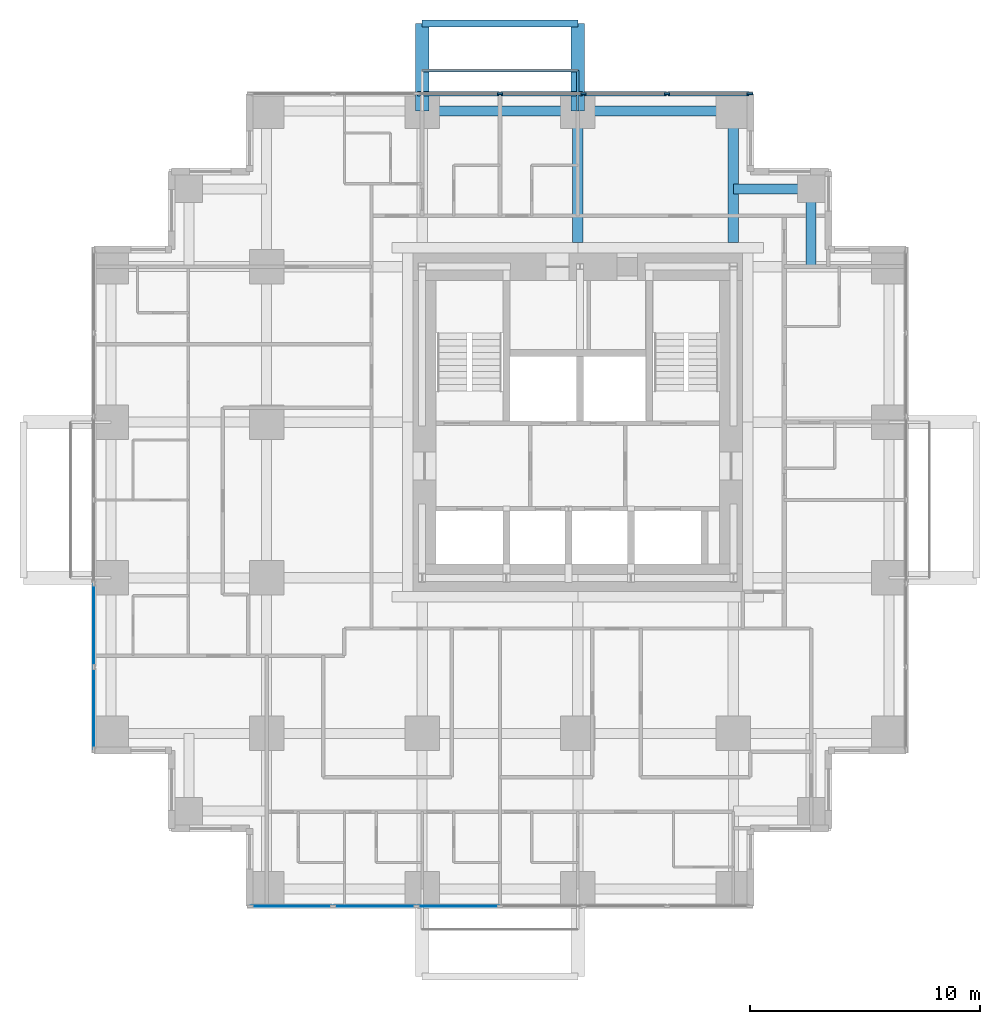
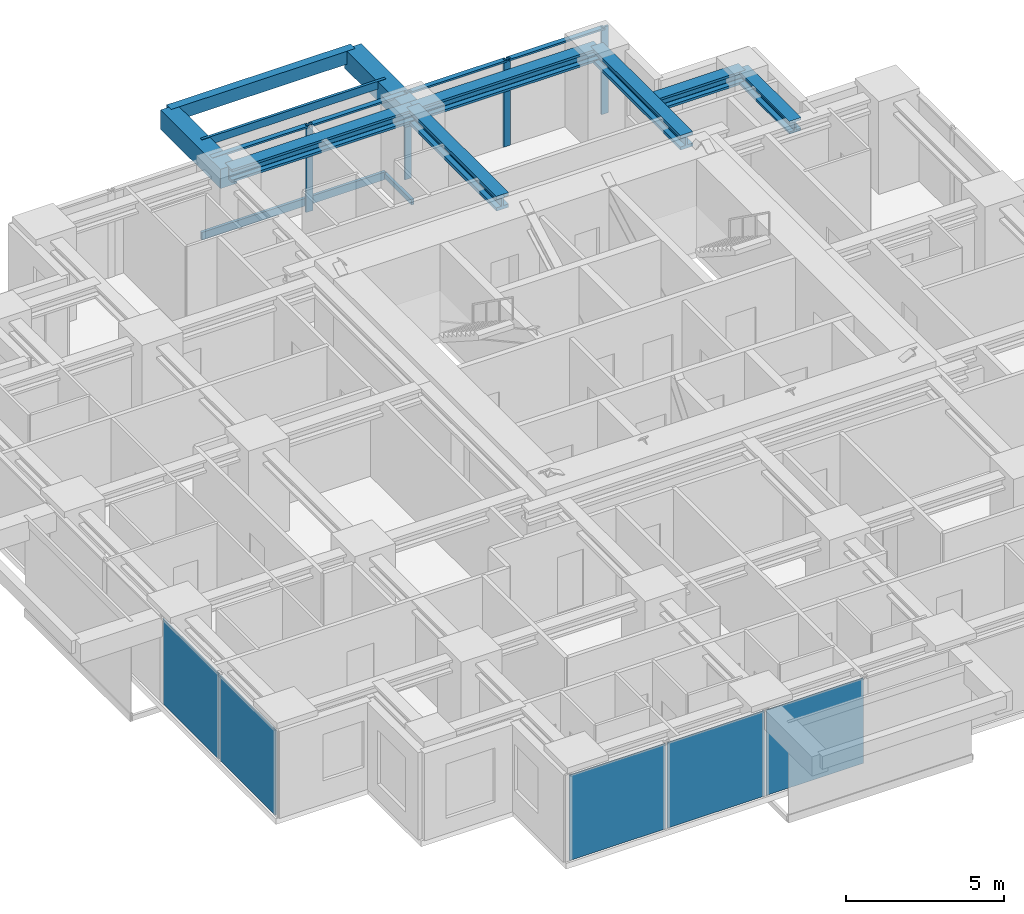
# One storey, part 4 of 10: 11 members, 9 beams, 5 plates, 3 elements without a shape of their own.
"""IFC4 building model written with IfcOpenShell, lengths in metres."""

from ifc_helpers import new_model, si_unit, direction, frame, origin, origin_2d, place, context, subcontext, project, spatial, rectangle, hollow_rectangle, i_section, extrude, material, layer, layer_set, material_profile, profile_set, type_object, element, aggregate, save


model = new_model("IFC4")

# Units and contexts
model_context = context("Model", 3, precision=1e-05, world=origin(), true_north=direction((0.0, 1.0)))
body_context = subcontext(model_context, "Body", "Model", "MODEL_VIEW")
ifc_project = project(units=[si_unit("LENGTHUNIT", "METRE"), si_unit("AREAUNIT", "SQUARE_METRE"), si_unit("VOLUMEUNIT", "CUBIC_METRE"), si_unit("PLANEANGLEUNIT", "RADIAN"), si_unit("MASSUNIT", "GRAM", prefix="KILO")], contexts=[model_context])

# Site, building, storey
site_placement = place(None, origin())
site = spatial("IfcSite", under=ifc_project, at=site_placement, CompositionType="ELEMENT")
building_placement = place(site_placement, origin())
building = spatial("IfcBuilding", under=site, at=building_placement, Name="Nyansa Garden Tower", CompositionType="ELEMENT")
storey_placement = place(building_placement, frame((0.0, 0.0, 153.0)))
storey = spatial("IfcBuildingStorey", under=building, at=storey_placement, Name="L41", CompositionType="ELEMENT", Elevation=153.0)

# Beams
ifc_material_1 = material(Name="Concrete C70/85", Category="concrete")
ifc_material_profile_1 = material_profile(ifc_material_1, rectangle(XDim=0.60009765625, YDim=0.75, at=origin_2d()), Name="RC 600x750")
ifc_profile_set_1 = profile_set([ifc_material_profile_1], Name="Concrete C70/85")
beam_type_1 = type_object("IfcBeamType", Name="Balcony cantilever beam CB1 RC 600x750", PredefinedType="BEAM", material=ifc_profile_set_1)
for number, where, z_axis, x_axis, name in (
    (1, (13.5, 33.75, 2.985107421875), (0.0, 1.0, 0.0), (-1.0, 0.0, 0.0), "Balcony cantilever beam L42"),
    (2, (20.25, 33.75, 2.985107421875), (0.0, 1.0, 0.0), (-1.0, 0.0, 0.0), "Balcony cantilever beam L42"),
):
    element("IfcBeam", number, at=place(storey_placement, frame(where, z_axis=z_axis, x_axis=x_axis)), inside=storey, type_object=beam_type_1, Name=name, PredefinedType="BEAM", context=body_context, shape_type="SweptSolid", body=[
        extrude(rectangle(XDim=0.60009765625, YDim=0.75, at=origin_2d()), origin(), (0.0, 0.0, 1.0), 3.800048828125),
    ])
ifc_material_2 = material(Name="Concrete C70/85", Category="concrete")
ifc_material_profile_2 = material_profile(ifc_material_2, rectangle(XDim=0.300048828125, YDim=0.5, at=origin_2d()), Name="RC 300x500")
ifc_profile_set_2 = profile_set([ifc_material_profile_2], Name="Concrete C70/85")
beam_type_2 = type_object("IfcBeamType", Name="Balcony edge beam BE1 RC 300x500", PredefinedType="BEAM", material=ifc_profile_set_2)
beam_placement = place(storey_placement, frame((13.5, 37.550048828125, 3.110107421875), z_axis=(1.0, 0.0, 0.0), x_axis=(0.0, 1.0, 0.0)))
element("IfcBeam", 3, at=beam_placement, inside=storey, type_object=beam_type_2, Name="Balcony edge beam L42", PredefinedType="BEAM", context=body_context, shape_type="SweptSolid", body=[
    extrude(rectangle(XDim=0.300048828125, YDim=0.5, at=origin_2d()), origin(), (0.0, 0.0, 1.0), 6.75),
])

# Curtain wall, members
ifc_material_3 = material(Name="Black anodised aluminium, dark tinted double glazing", Category="aluminium")
curtain_wall_type = type_object("IfcCurtainWallType", Name="Inner skin curtain wall ISW-C", PredefinedType="USERDEFINED", material=ifc_material_3)
curtain_wall_1_placement = place(storey_placement, origin())
curtain_wall_1 = element("IfcCurtainWall", 4, at=curtain_wall_1_placement, inside=storey, type_object=curtain_wall_type, Name="Inner skin curtain wall L41 N", ObjectType="UNITISED CURTAIN WALL", PredefinedType="USERDEFINED")
ifc_material_4 = material(Name="Black anodised aluminium", Category="aluminium")
ifc_material_profile_3 = material_profile(ifc_material_4, rectangle(XDim=0.070068359375, YDim=0.25, at=origin_2d()), Name="Mullion 250x70")
ifc_profile_set_3 = profile_set([ifc_material_profile_3], Name="Black anodised aluminium")
member_type_1 = type_object("IfcMemberType", Name="Mullion ISW-C 250x70", PredefinedType="MULLION", material=ifc_profile_set_3)
member_1_placement = place(storey_placement, frame((27.715087890625, 34.5, 0.0), z_axis=(0.0, 0.0, 1.0), x_axis=(0.0, -1.0, 0.0)))
member_1 = element("IfcMember", 5, at=member_1_placement, type_object=member_type_1, Name="ISW-C mullion 1", PredefinedType="MULLION", context=body_context, shape_type="SweptSolid", body=[
    extrude(rectangle(XDim=0.070068359375, YDim=0.25, at=origin_2d()), origin(), (0.0, 0.0, 1.0), 3.375),
])
member_2_placement = place(storey_placement, frame((24.125, 34.5, 0.0), z_axis=(0.0, 0.0, 1.0), x_axis=(0.0, -1.0, 0.0)))
member_2 = element("IfcMember", 6, at=member_2_placement, type_object=member_type_1, Name="ISW-C mullion 2", PredefinedType="MULLION", context=body_context, shape_type="SweptSolid", body=[
    extrude(rectangle(XDim=0.070068359375, YDim=0.25, at=origin_2d()), origin(), (0.0, 0.0, 1.0), 3.375),
])
member_3_placement = place(storey_placement, frame((20.5, 34.5, 0.0), z_axis=(0.0, 0.0, 1.0), x_axis=(0.0, -1.0, 0.0)))
member_3 = element("IfcMember", 7, at=member_3_placement, type_object=member_type_1, Name="ISW-C mullion 3", PredefinedType="MULLION", context=body_context, shape_type="SweptSolid", body=[
    extrude(rectangle(XDim=0.070068359375, YDim=0.25, at=origin_2d()), origin(), (0.0, 0.0, 1.0), 3.375),
])
member_4_placement = place(storey_placement, frame((16.875, 34.5, 0.0), z_axis=(0.0, 0.0, 1.0), x_axis=(0.0, -1.0, 0.0)))
member_4 = element("IfcMember", 8, at=member_4_placement, type_object=member_type_1, Name="ISW-C mullion 4", PredefinedType="MULLION", context=body_context, shape_type="SweptSolid", body=[
    extrude(rectangle(XDim=0.070068359375, YDim=0.25, at=origin_2d()), origin(), (0.0, 0.0, 1.0), 3.375),
])

# Members
ifc_material_5 = material(Name="Steel S355, black powder coated", Category="steel")
ifc_material_profile_4 = material_profile(ifc_material_5, hollow_rectangle(XDim=0.10009765625, YDim=0.199951171875, WallThickness=0.008056640625, at=origin_2d()), Name="RHS 200x100x8")
ifc_profile_set_4 = profile_set([ifc_material_profile_4], Name="Steel S355, black powder coated")
member_type_2 = type_object("IfcMemberType", Name="Outer skin bracket arm RHS 200x100x8", PredefinedType="USERDEFINED", material=ifc_profile_set_4)
member_5_placement = place(storey_placement, frame((20.25, 33.75, -0.375), z_axis=(0.0, 1.0, 0.0), x_axis=(-1.0, 0.0, 0.0)))
element("IfcMember", 9, at=member_5_placement, inside=storey, type_object=member_type_2, Name="Outer skin bracket arm", ObjectType="OUTER SKIN BRACKET", PredefinedType="USERDEFINED", context=body_context, shape_type="SweptSolid", body=[
    extrude(hollow_rectangle(XDim=0.10009765625, YDim=0.199951171875, WallThickness=0.008056640625, at=origin_2d()), origin(), (0.0, 0.0, 1.0), 1.75),
])
ifc_material_6 = material(Name="Steel S355, black powder coated", Category="steel")
ifc_material_profile_5 = material_profile(ifc_material_6, hollow_rectangle(XDim=0.10009765625, YDim=0.300048828125, WallThickness=0.010009765625, at=origin_2d()), Name="RHS 300x100x10")
ifc_profile_set_5 = profile_set([ifc_material_profile_5], Name="Steel S355, black powder coated")
member_type_3 = type_object("IfcMemberType", Name="Outer skin rail RHS 300x100x10", PredefinedType="USERDEFINED", material=ifc_profile_set_5)
for number, where, z_axis, x_axis, name in (
    (10, (13.5, 35.5, -0.375), (1.0, 0.0, 0.0), (0.0, 1.0, 0.0), "Outer skin rail L41"),
    (11, (13.5, 35.5, 3.22509765625), (1.0, 0.0, 0.0), (0.0, 1.0, 0.0), "Outer skin rail L41 head"),
):
    element("IfcMember", number, at=place(storey_placement, frame(where, z_axis=z_axis, x_axis=x_axis)), inside=storey, type_object=member_type_3, Name=name, ObjectType="OUTER SKIN RAIL", PredefinedType="USERDEFINED", context=body_context, shape_type="SweptSolid", body=[
        extrude(hollow_rectangle(XDim=0.10009765625, YDim=0.300048828125, WallThickness=0.010009765625, at=origin_2d()), origin(), (0.0, 0.0, 1.0), 6.75),
    ])

# Beams
ifc_material_7 = material(Name="Steel S355", Category="steel")
ifc_material_profile_6 = material_profile(ifc_material_7, i_section(OverallWidth=0.4541015625, OverallDepth=0.569091796875, WebThickness=0.077880859375, FlangeThickness=0.125, FilletRadius=0.014892578125, at=origin_2d()), Name="HD 400x1086")
ifc_profile_set_6 = profile_set([ifc_material_profile_6], Name="Steel S355")
beam_type_3 = type_object("IfcBeamType", Name="Steel beam SCL-1086 HD 400x1086", PredefinedType="BEAM", material=ifc_profile_set_6)
for number, where, z_axis, x_axis, name in (
    (12, (20.25, 28.050048828125, 3.090576171875), (0.0, 1.0, 0.0), (-1.0, 0.0, 0.0), "Steel beam 5/28.050-5/J L42"),
    (13, (27.0, 28.050048828125, 3.090576171875), (0.0, 1.0, 0.0), (-1.0, 0.0, 0.0), "Steel beam 6/28.050-6/J L42"),
):
    element("IfcBeam", number, at=place(storey_placement, frame(where, z_axis=z_axis, x_axis=x_axis)), inside=storey, type_object=beam_type_3, Name=name, PredefinedType="BEAM", context=body_context, shape_type="SweptSolid", body=[
        extrude(i_section(OverallWidth=0.4541015625, OverallDepth=0.569091796875, WebThickness=0.077880859375, FlangeThickness=0.125, FilletRadius=0.014892578125, at=origin_2d()), origin(), (0.0, 0.0, 1.0), 5.699951171875),
    ])
ifc_material_8 = material(Name="Steel S355", Category="steel")
ifc_material_profile_7 = material_profile(ifc_material_8, i_section(OverallWidth=0.431884765625, OverallDepth=0.498046875, WebThickness=0.0556640625, FlangeThickness=0.0888671875, FilletRadius=0.014892578125, at=origin_2d()), Name="HD 400x744")
ifc_profile_set_7 = profile_set([ifc_material_profile_7], Name="Steel S355")
beam_type_4 = type_object("IfcBeamType", Name="Steel beam SEBC-744 HD 400x744", PredefinedType="BEAM", material=ifc_profile_set_7)
for number, where, z_axis, x_axis, name in (
    (14, (13.5, 33.75, 3.1259765625), (1.0, 0.0, 0.0), (0.0, 1.0, 0.0), "Steel edge beam 4/J-5/J L42"),
    (15, (20.25, 33.75, 3.1259765625), (1.0, 0.0, 0.0), (0.0, 1.0, 0.0), "Steel edge beam 5/J-6/J L42"),
):
    element("IfcBeam", number, at=place(storey_placement, frame(where, z_axis=z_axis, x_axis=x_axis)), inside=storey, type_object=beam_type_4, Name=name, PredefinedType="BEAM", context=body_context, shape_type="SweptSolid", body=[
        extrude(i_section(OverallWidth=0.431884765625, OverallDepth=0.498046875, WebThickness=0.0556640625, FlangeThickness=0.0888671875, FilletRadius=0.014892578125, at=origin_2d()), origin(), (0.0, 0.0, 1.0), 6.75),
    ])
ifc_material_9 = material(Name="Steel S355", Category="steel")
ifc_material_profile_8 = material_profile(ifc_material_9, i_section(OverallWidth=0.431884765625, OverallDepth=0.498046875, WebThickness=0.0556640625, FlangeThickness=0.0888671875, FilletRadius=0.014892578125, at=origin_2d()), Name="HD 400x744")
ifc_profile_set_8 = profile_set([ifc_material_profile_8], Name="Steel S355")
beam_type_5 = type_object("IfcBeamType", Name="Steel beam SSB1-744 HD 400x744", PredefinedType="BEAM", material=ifc_profile_set_8)
for number, where, z_axis, x_axis, name in (
    (16, (30.375, 30.375, 3.1259765625), (0.0, -1.0, 0.0), (1.0, 0.0, 0.0), "Steel step beam 30.375/30.375 L42"),
    (17, (30.375, 30.375, 3.1259765625), (-1.0, 0.0, 0.0), (0.0, -1.0, 0.0), "Steel step beam 30.375/30.375 L42"),
):
    element("IfcBeam", number, at=place(storey_placement, frame(where, z_axis=z_axis, x_axis=x_axis)), inside=storey, type_object=beam_type_5, Name=name, PredefinedType="BEAM", context=body_context, shape_type="SweptSolid", body=[
        extrude(i_section(OverallWidth=0.431884765625, OverallDepth=0.498046875, WebThickness=0.0556640625, FlangeThickness=0.0888671875, FilletRadius=0.014892578125, at=origin_2d()), origin(), (0.0, 0.0, 1.0), 3.375),
    ])

# Member
ifc_material_10 = material(Name="Black anodised aluminium", Category="aluminium")
ifc_material_profile_9 = material_profile(ifc_material_10, rectangle(XDim=0.179931640625, YDim=0.070068359375, at=origin_2d()), Name="Transom 180x70")
ifc_profile_set_9 = profile_set([ifc_material_profile_9], Name="Black anodised aluminium")
member_type_4 = type_object("IfcMemberType", Name="Transom ISW-C 180x70", PredefinedType="USERDEFINED", material=ifc_profile_set_9)
member_6_placement = place(storey_placement, frame((27.679931640625, 34.5, 3.340087890625), z_axis=(-1.0, 0.0, 0.0), x_axis=(0.0, -1.0, 0.0)))
member_6 = element("IfcMember", 18, at=member_6_placement, type_object=member_type_4, Name="ISW-C transom 1", ObjectType="TRANSOM", PredefinedType="USERDEFINED", context=body_context, shape_type="SweptSolid", body=[
    extrude(rectangle(XDim=0.179931640625, YDim=0.070068359375, at=origin_2d()), origin(), (0.0, 0.0, 1.0), 3.52001953125),
])

member_7_placement = place(storey_placement, frame((24.090087890625, 34.5, 3.340087890625), z_axis=(-1.0, 0.0, 0.0), x_axis=(0.0, -1.0, 0.0)))
member_7 = element("IfcMember", 19, at=member_7_placement, type_object=member_type_4, Name="ISW-C transom 2", ObjectType="TRANSOM", PredefinedType="USERDEFINED", context=body_context, shape_type="SweptSolid", body=[
    extrude(rectangle(XDim=0.179931640625, YDim=0.070068359375, at=origin_2d()), origin(), (0.0, 0.0, 1.0), 3.55517578125),
])

member_8_placement = place(storey_placement, frame((20.465087890625, 34.5, 3.340087890625), z_axis=(-1.0, 0.0, 0.0), x_axis=(0.0, -1.0, 0.0)))
member_8 = element("IfcMember", 20, at=member_8_placement, type_object=member_type_4, Name="ISW-C transom 3", ObjectType="TRANSOM", PredefinedType="USERDEFINED", context=body_context, shape_type="SweptSolid", body=[
    extrude(rectangle(XDim=0.179931640625, YDim=0.070068359375, at=origin_2d()), origin(), (0.0, 0.0, 1.0), 3.55517578125),
])

member_9_placement = place(storey_placement, frame((16.840087890625, 34.5, 3.340087890625), z_axis=(-1.0, 0.0, 0.0), x_axis=(0.0, -1.0, 0.0)))
member_9 = element("IfcMember", 21, at=member_9_placement, type_object=member_type_4, Name="ISW-C transom 4", ObjectType="TRANSOM", PredefinedType="USERDEFINED", context=body_context, shape_type="SweptSolid", body=[
    extrude(rectangle(XDim=0.179931640625, YDim=0.070068359375, at=origin_2d()), origin(), (0.0, 0.0, 1.0), 3.55517578125),
])

aggregate(curtain_wall_1, [member_1, member_2, member_3, member_4, member_6, member_7, member_8, member_9])

# Curtain wall, plates
curtain_wall_2_placement = place(storey_placement, origin())
curtain_wall_2 = element("IfcCurtainWall", 22, at=curtain_wall_2_placement, inside=storey, type_object=curtain_wall_type, Name="Inner skin curtain wall L41 W", ObjectType="UNITISED CURTAIN WALL", PredefinedType="USERDEFINED")
ifc_material_11 = material(Name="Dark tinted laminated double glazing", Category="glass")
ifc_layer = layer(ifc_material_11, 0.0400390625)
ifc_layer_set = layer_set([ifc_layer], Name="Dark tinted vision panel VP-C")
plate_type = type_object("IfcPlateType", Name="Dark tinted vision panel VP-C", PredefinedType="CURTAIN_PANEL", material=ifc_layer_set)
plate_1_placement = place(storey_placement, frame((-0.75, 11.4375, 0.0), z_axis=(0.0, 0.0, 1.0), x_axis=(0.0, -1.0, 0.0)))
plate_1 = element("IfcPlate", 23, at=plate_1_placement, type_object=plate_type, Name="ISW-C panel 5", PredefinedType="CURTAIN_PANEL", context=body_context, shape_type="SweptSolid", body=[
    extrude(rectangle(XDim=3.554931640625, YDim=0.0400390625, at=origin_2d()), origin(), (0.0, 0.0, 1.0), 3.304931640625),
])
plate_2_placement = place(storey_placement, frame((-0.75, 7.830078125, 0.0), z_axis=(0.0, 0.0, 1.0), x_axis=(0.0, -1.0, 0.0)))
plate_2 = element("IfcPlate", 24, at=plate_2_placement, type_object=plate_type, Name="ISW-C panel 6", PredefinedType="CURTAIN_PANEL", context=body_context, shape_type="SweptSolid", body=[
    extrude(rectangle(XDim=3.52001953125, YDim=0.0400390625, at=origin_2d()), origin(), (0.0, 0.0, 1.0), 3.304931640625),
])
aggregate(curtain_wall_2, [plate_1, plate_2])

curtain_wall_3_placement = place(storey_placement, origin())
curtain_wall_3 = element("IfcCurtainWall", 25, at=curtain_wall_3_placement, inside=storey, type_object=curtain_wall_type, Name="Inner skin curtain wall L41 S", ObjectType="UNITISED CURTAIN WALL", PredefinedType="USERDEFINED")
plate_3_placement = place(storey_placement, frame((7.830078125, -0.75, 0.0), z_axis=(0.0, 0.0, 1.0), x_axis=(1.0, 0.0, 0.0)))
plate_3 = element("IfcPlate", 26, at=plate_3_placement, type_object=plate_type, Name="ISW-C panel 1", PredefinedType="CURTAIN_PANEL", context=body_context, shape_type="SweptSolid", body=[
    extrude(rectangle(XDim=3.52001953125, YDim=0.0400390625, at=origin_2d()), origin(), (0.0, 0.0, 1.0), 3.304931640625),
])
plate_4_placement = place(storey_placement, frame((11.4375, -0.75, 0.0), z_axis=(0.0, 0.0, 1.0), x_axis=(1.0, 0.0, 0.0)))
plate_4 = element("IfcPlate", 27, at=plate_4_placement, type_object=plate_type, Name="ISW-C panel 2", PredefinedType="CURTAIN_PANEL", context=body_context, shape_type="SweptSolid", body=[
    extrude(rectangle(XDim=3.554931640625, YDim=0.0400390625, at=origin_2d()), origin(), (0.0, 0.0, 1.0), 3.304931640625),
])
plate_5_placement = place(storey_placement, frame((15.0625, -0.75, 0.0), z_axis=(0.0, 0.0, 1.0), x_axis=(1.0, 0.0, 0.0)))
plate_5 = element("IfcPlate", 28, at=plate_5_placement, type_object=plate_type, Name="ISW-C panel 3", PredefinedType="CURTAIN_PANEL", context=body_context, shape_type="SweptSolid", body=[
    extrude(rectangle(XDim=3.554931640625, YDim=0.0400390625, at=origin_2d()), origin(), (0.0, 0.0, 1.0), 3.304931640625),
])
aggregate(curtain_wall_3, [plate_3, plate_4, plate_5])

save(model, "model.ifc")
